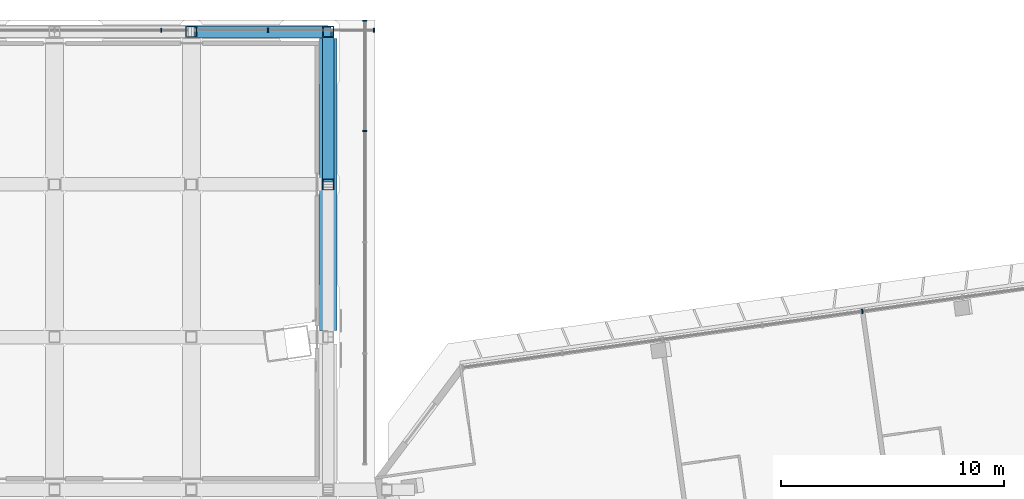
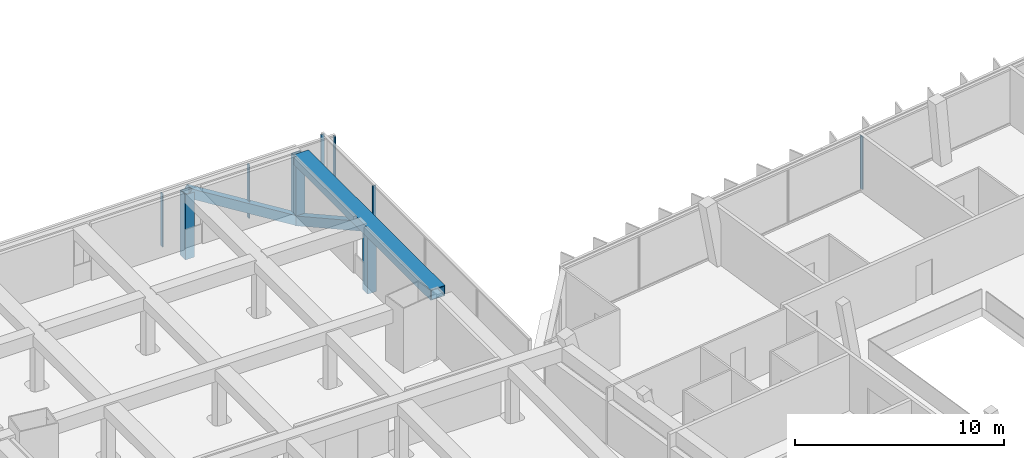
# One storey, part 14 of 30: 12 members, 3 elements without a shape of their own.
"""IFC4 building model written with IfcOpenShell, lengths in metres."""

from ifc_helpers import new_model, si_unit, direction, frame, origin, origin_2d, place, context, subcontext, project, spatial, rectangle, hollow_rectangle, extrude, material, material_profile, profile_set, type_object, element, aggregate, save


model = new_model("IFC4")

# Units and contexts
model_context = context("Model", 3, precision=1e-05, world=origin(), true_north=direction((0.0, 1.0)))
body_context = subcontext(model_context, "Body", "Model", "MODEL_VIEW")
ifc_project = project(units=[si_unit("LENGTHUNIT", "METRE"), si_unit("AREAUNIT", "SQUARE_METRE"), si_unit("VOLUMEUNIT", "CUBIC_METRE"), si_unit("PLANEANGLEUNIT", "RADIAN"), si_unit("MASSUNIT", "GRAM", prefix="KILO")], contexts=[model_context])

# Site, building, storey
site_placement = place(None, origin())
site = spatial("IfcSite", under=ifc_project, at=site_placement, CompositionType="ELEMENT")
building_placement = place(site_placement, origin())
building = spatial("IfcBuilding", under=site, at=building_placement, Name="Mirante Cascada Hotel Towers", CompositionType="ELEMENT")
storey_placement = place(building_placement, frame((0.0, 0.0, 258.4)))
storey = spatial("IfcBuildingStorey", under=building, at=storey_placement, Name="L62", CompositionType="ELEMENT", Elevation=258.4)

# Members
ifc_material_1 = material(Name="Steel ASTM A572 Gr 50", Category="steel")
ifc_material_profile_1 = material_profile(ifc_material_1, hollow_rectangle(XDim=0.6, YDim=0.8, WallThickness=0.04, at=origin_2d()), Name="Box chord 800x600x40 ASTM A572 Gr 50")
ifc_profile_set_1 = profile_set([ifc_material_profile_1], Name="Steel ASTM A572 Gr 50")
member_type_1 = type_object("IfcMemberType", Name="Box chord 800x600x40 ASTM A572 Gr 50", PredefinedType="CHORD", material=ifc_profile_set_1)
member_1_placement = place(storey_placement, frame((12.2514, 17.0475, 2.9), z_axis=(0.0, 1.0, 0.0), x_axis=(0.0, 0.0, 1.0)))
element("IfcMember", 1, at=member_1_placement, inside=storey, type_object=member_type_1, Name="dchord sky park L63 20", PredefinedType="CHORD", context=body_context, shape_type="SweptSolid", body=[
    extrude(hollow_rectangle(XDim=0.6, YDim=0.8, WallThickness=0.04, at=origin_2d()), origin(), (0.0, 0.0, 1.0), 13.0667),
])
ifc_material_2 = material(Name="Steel ASTM A572 Gr 50", Category="steel")
ifc_material_profile_2 = material_profile(ifc_material_2, hollow_rectangle(XDim=0.5, YDim=0.5, WallThickness=0.03, at=origin_2d()), Name="Box diagonal 500x500x30 ASTM A572 Gr 50")
ifc_profile_set_2 = profile_set([ifc_material_profile_2], Name="Steel ASTM A572 Gr 50")
member_type_2 = type_object("IfcMemberType", Name="Box diagonal 500x500x30 ASTM A572 Gr 50", PredefinedType="BRACE", material=ifc_profile_set_2)
member_2_placement = place(storey_placement, frame((12.2514, 30.4142, -0.9), z_axis=(0.0, -0.8739581, 0.4860012), x_axis=(1.0, 0.0, 0.0)))
element("IfcMember", 2, at=member_2_placement, inside=storey, type_object=member_type_2, Name="ddiag sky park L62 10", PredefinedType="BRACE", context=body_context, shape_type="SweptSolid", body=[
    extrude(hollow_rectangle(XDim=0.5, YDim=0.5, WallThickness=0.03, at=origin_2d()), origin(), (0.0, 0.0, 1.0), 7.8189),
])
member_3_placement = place(storey_placement, frame((12.2514, 30.4142, -0.9), z_axis=(-0.8497743, 0.0, 0.5271467), x_axis=(0.0, -1.0, 0.0)))
element("IfcMember", 3, at=member_3_placement, inside=storey, type_object=member_type_2, Name="ddiag sky park L62 14", PredefinedType="BRACE", context=body_context, shape_type="SweptSolid", body=[
    extrude(hollow_rectangle(XDim=0.5, YDim=0.5, WallThickness=0.03, at=origin_2d()), origin(), (0.0, 0.0, 1.0), 7.2086),
])
ifc_material_3 = material(Name="Steel ASTM A572 Gr 50", Category="steel")
ifc_material_profile_3 = material_profile(ifc_material_3, hollow_rectangle(XDim=0.5, YDim=0.5, WallThickness=0.03, at=origin_2d()), Name="Box post 500x500x30 ASTM A572 Gr 50")
ifc_profile_set_3 = profile_set([ifc_material_profile_3], Name="Steel ASTM A572 Gr 50")
member_type_3 = type_object("IfcMemberType", Name="Box post 500x500x30 ASTM A572 Gr 50", PredefinedType="POST", material=ifc_profile_set_3)
for number, where, z_axis, x_axis, name in (
    (4, (6.1257, 30.4142, -0.9), (0.0, 0.0, 1.0), (1.0, 0.0, 0.0), "dpost sky park L62 28"),
    (5, (12.2514, 23.5808, -0.9), (0.0, 0.0, 1.0), (1.0, 0.0, 0.0), "dpost sky park L62 34"),
    (6, (12.2514, 30.4142, -0.9), (0.0, 0.0, 1.0), (1.0, 0.0, 0.0), "dpost sky park L62 35"),
):
    element("IfcMember", number, at=place(storey_placement, frame(where, z_axis=z_axis, x_axis=x_axis)), inside=storey, type_object=member_type_3, Name=name, PredefinedType="POST", context=body_context, shape_type="SweptSolid", body=[
        extrude(hollow_rectangle(XDim=0.5, YDim=0.5, WallThickness=0.03, at=origin_2d()), origin(), (0.0, 0.0, 1.0), 3.8),
    ])

# Curtain wall, member
ifc_material_4 = material(Name="Aluminium mullion and transom frame with clear laminated glass", Category="aluminium")
curtain_wall_type_1 = type_object("IfcCurtainWallType", Name="Ribbon curtain wall ECW1", PredefinedType="NOTDEFINED", material=ifc_material_4)
curtain_wall_1_placement = place(storey_placement, origin())
curtain_wall_1 = element("IfcCurtainWall", 7, at=curtain_wall_1_placement, inside=storey, type_object=curtain_wall_type_1, Name="Front ribbon wall T2 L62", PredefinedType="NOTDEFINED")
ifc_material_5 = material(Name="Anodised aluminium extrusion", Category="aluminium")
ifc_material_profile_4 = material_profile(ifc_material_5, rectangle(XDim=0.2, YDim=0.065, at=origin_2d()), Name="ECW1 MULLION 65x200")
ifc_profile_set_4 = profile_set([ifc_material_profile_4], Name="Anodised aluminium extrusion")
member_type_4 = type_object("IfcMemberType", Name="ECW1 mullion 65x200", PredefinedType="MULLION", material=ifc_profile_set_4)
member_4_placement = place(storey_placement, frame((36.1615, 17.9012, 0.1), z_axis=(0.0, 0.0, 1.0), x_axis=(0.1391731, -0.9902681, 0.0)))
member_4 = element("IfcMember", 8, at=member_4_placement, type_object=member_type_4, Name="ECW1 mullion 4", PredefinedType="MULLION", context=body_context, shape_type="SweptSolid", body=[
    extrude(rectangle(XDim=0.2, YDim=0.065, at=origin_2d()), origin(), (0.0, 0.0, 1.0), 3.1),
])
aggregate(curtain_wall_1, [member_4])

# Curtain wall, members
ifc_material_6 = material(Name="Aluminium mullion and transom frame with clear laminated glass", Category="aluminium")
curtain_wall_type_2 = type_object("IfcCurtainWallType", Name="Sky park deck curtain wall ECW5", PredefinedType="NOTDEFINED", material=ifc_material_6)
curtain_wall_2_placement = place(storey_placement, origin())
curtain_wall_2 = element("IfcCurtainWall", 9, at=curtain_wall_2_placement, inside=storey, type_object=curtain_wall_type_2, Name="Sky park glazing L62 run 2", PredefinedType="NOTDEFINED")
ifc_material_7 = material(Name="Anodised aluminium extrusion", Category="aluminium")
ifc_material_profile_5 = material_profile(ifc_material_7, rectangle(XDim=0.18, YDim=0.06, at=origin_2d()), Name="ECW5 MULLION 60x180")
ifc_profile_set_5 = profile_set([ifc_material_profile_5], Name="Anodised aluminium extrusion")
member_type_5 = type_object("IfcMemberType", Name="ECW5 mullion 60x180", PredefinedType="MULLION", material=ifc_profile_set_5)
member_5_placement = place(storey_placement, frame((13.8864, 25.9661, 0.09), z_axis=(0.0, 0.0, 1.0), x_axis=(-1.0, 0.0, 0.0)))
member_5 = element("IfcMember", 10, at=member_5_placement, type_object=member_type_5, Name="ECW5 mullion 4", PredefinedType="MULLION", context=body_context, shape_type="SweptSolid", body=[
    extrude(rectangle(XDim=0.18, YDim=0.06, at=origin_2d()), origin(), (0.0, 0.0, 1.0), 3.12),
])
member_6_placement = place(storey_placement, frame((13.8864, 30.9111, 0.09), z_axis=(0.0, 0.0, 1.0), x_axis=(-1.0, 0.0, 0.0)))
member_6 = element("IfcMember", 11, at=member_6_placement, type_object=member_type_5, Name="ECW5 mullion 5", PredefinedType="MULLION", context=body_context, shape_type="SweptSolid", body=[
    extrude(rectangle(XDim=0.18, YDim=0.06, at=origin_2d()), origin(), (0.0, 0.0, 1.0), 3.12),
])
aggregate(curtain_wall_2, [member_5, member_6])

curtain_wall_3_placement = place(storey_placement, origin())
curtain_wall_3 = element("IfcCurtainWall", 12, at=curtain_wall_3_placement, inside=storey, type_object=curtain_wall_type_2, Name="Sky park glazing L62 run 3", PredefinedType="NOTDEFINED")
member_7_placement = place(storey_placement, frame((14.3064, 30.4911, 0.09), z_axis=(0.0, 0.0, 1.0), x_axis=(0.0, -1.0, 0.0)))
member_7 = element("IfcMember", 13, at=member_7_placement, type_object=member_type_5, Name="ECW5 mullion 1", PredefinedType="MULLION", context=body_context, shape_type="SweptSolid", body=[
    extrude(rectangle(XDim=0.18, YDim=0.06, at=origin_2d()), origin(), (0.0, 0.0, 1.0), 3.12),
])
member_8_placement = place(storey_placement, frame((9.5576, 30.4911, 0.09), z_axis=(0.0, 0.0, 1.0), x_axis=(0.0, -1.0, 0.0)))
member_8 = element("IfcMember", 14, at=member_8_placement, type_object=member_type_5, Name="ECW5 mullion 2", PredefinedType="MULLION", context=body_context, shape_type="SweptSolid", body=[
    extrude(rectangle(XDim=0.18, YDim=0.06, at=origin_2d()), origin(), (0.0, 0.0, 1.0), 3.12),
])
member_9_placement = place(storey_placement, frame((4.7788, 30.4911, 0.09), z_axis=(0.0, 0.0, 1.0), x_axis=(0.0, -1.0, 0.0)))
member_9 = element("IfcMember", 15, at=member_9_placement, type_object=member_type_5, Name="ECW5 mullion 3", PredefinedType="MULLION", context=body_context, shape_type="SweptSolid", body=[
    extrude(rectangle(XDim=0.18, YDim=0.06, at=origin_2d()), origin(), (0.0, 0.0, 1.0), 3.12),
])
aggregate(curtain_wall_3, [member_7, member_8, member_9])

save(model, "model.ifc")
